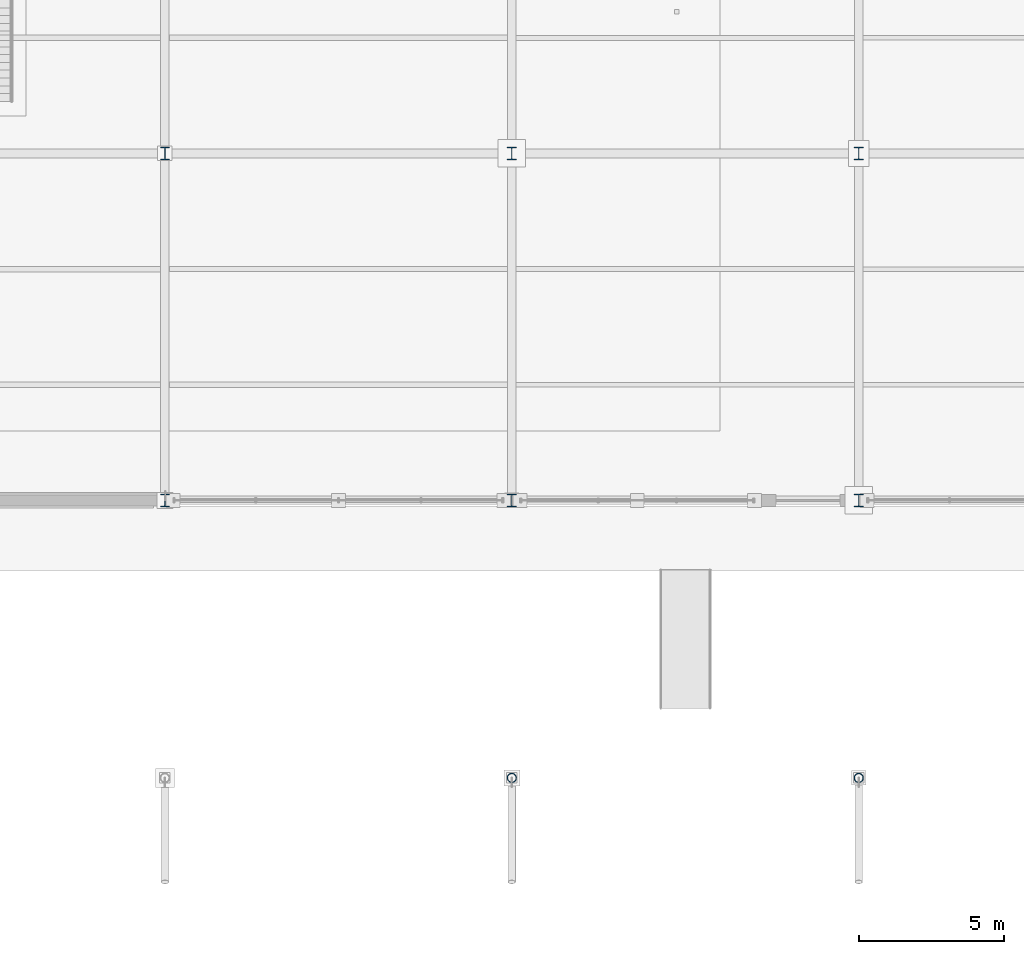
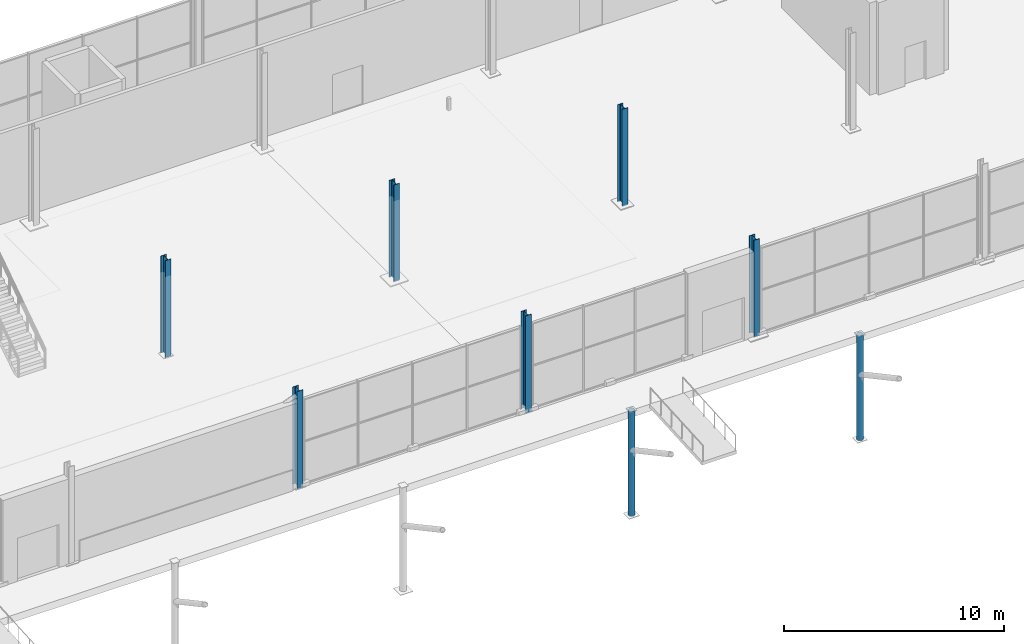
# One storey, part 6 of 196: 8 columns.
"""IFC4 building model written with IfcOpenShell, lengths in metres."""

import ifcopenshell
import ifcopenshell.guid

model = None  # the IFC model being written
_history = None  # IfcOwnerHistory: only IFC2X3 demands one
_inside = {}  # id of a spatial element -> (the spatial element, [elements in it])
_under = {}  # id of a project, library or spatial element -> (it, [spatial elements below it])
_declared = {}  # id of a project -> (the project, [libraries it declares])
_typed = {}  # id of a type object -> (the type object, [elements of that type])
_made_of = {}  # id of a material, layer set ... -> (it, [elements and type objects made of it])


def new_model(schema):
    """Start an empty IFC model of exactly this schema.

    Asked for "IFC4X3", IfcOpenShell would pick the latest addendum, in which some entities
    have other attributes; the version numbers below select the first issue.
    IFC2X3 requires an IfcOwnerHistory on every rooted entity: one is made here for all.
    """
    global model, _history
    if schema == "IFC4X3":
        model = ifcopenshell.file(schema_version=(4, 3, 0, 0))
    else:
        model = ifcopenshell.file(schema=schema)
    _inside.clear()
    _under.clear()
    _declared.clear()
    _typed.clear()
    _made_of.clear()
    _history = None
    if model.schema == "IFC2X3":
        org = make("IfcOrganization", Name="unknown")
        user = make(
            "IfcPersonAndOrganization",
            ThePerson=make("IfcPerson", FamilyName="unknown"),
            TheOrganization=org,
        )
        app = make(
            "IfcApplication",
            ApplicationDeveloper=org,
            Version="unknown",
            ApplicationFullName="unknown",
            ApplicationIdentifier="unknown",
        )
        _history = make(
            "IfcOwnerHistory",
            OwningUser=user,
            OwningApplication=app,
            ChangeAction="ADDED",
            CreationDate=0,
        )
    return model


def make(cls, **values):
    """One entity of the class cls with the attributes given. An attribute that is None is left unset."""
    return model.create_entity(
        cls, **{name: value for name, value in values.items() if value is not None}
    )


def rooted(cls, **values):
    """An entity with a GlobalId (a new one), such as an element, a storey or a relation."""
    return make(cls, GlobalId=ifcopenshell.guid.new(), OwnerHistory=_history, **values)


def si_unit(unit_type, name, prefix=None):
    """IfcSIUnit, for example si_unit("LENGTHUNIT", "METRE", prefix="MILLI")."""
    return make("IfcSIUnit", UnitType=unit_type, Prefix=prefix, Name=name)


def assignment(units):
    """IfcUnitAssignment: the units of a project."""
    return None if units is None else make("IfcUnitAssignment", Units=units)


def point(xyz):
    """IfcCartesianPoint."""
    return None if xyz is None else make("IfcCartesianPoint", Coordinates=xyz)


def direction(xyz):
    """IfcDirection."""
    return None if xyz is None else make("IfcDirection", DirectionRatios=xyz)


def frame(location, z_axis=None, x_axis=None):
    """IfcAxis2Placement3D, a coordinate frame: its origin and axes. An axis left out is left unset."""
    return make(
        "IfcAxis2Placement3D",
        Location=point(location),
        Axis=direction(z_axis),
        RefDirection=direction(x_axis),
    )


def frame_2d(location, x_axis=None):
    """IfcAxis2Placement2D, a coordinate frame in the plane: its origin and x axis."""
    return make(
        "IfcAxis2Placement2D", Location=point(location), RefDirection=direction(x_axis)
    )


def origin():
    """The frame at (0, 0, 0) with its axes left unset."""
    return frame((0.0, 0.0, 0.0))


def origin_2d():
    """The frame at (0, 0) in the plane with its x axis left unset."""
    return frame_2d((0.0, 0.0))


def place(relative_to, where):
    """IfcLocalPlacement: puts the frame where relative to a parent placement (None: the world)."""
    return make(
        "IfcLocalPlacement", PlacementRelTo=relative_to, RelativePlacement=where
    )


def context(
    kind, dimensions, precision=None, world=None, true_north=None, identifier=None
):
    """IfcGeometricRepresentationContext, for example the 3D "Model" context."""
    return make(
        "IfcGeometricRepresentationContext",
        ContextIdentifier=identifier,
        ContextType=kind,
        CoordinateSpaceDimension=dimensions,
        Precision=precision,
        WorldCoordinateSystem=world,
        TrueNorth=true_north,
    )


def subcontext(parent, identifier, kind, view, scale=None):
    """IfcGeometricRepresentationSubContext, for example "Body" below "Model"."""
    return make(
        "IfcGeometricRepresentationSubContext",
        ContextIdentifier=identifier,
        ContextType=kind,
        ParentContext=parent,
        TargetScale=scale,
        TargetView=view,
    )


def project(units=None, contexts=None):
    """IfcProject with its units and contexts."""
    return rooted(
        "IfcProject",
        Name="project",
        RepresentationContexts=contexts,
        UnitsInContext=assignment(units),
    )


def spatial(cls, under=None, at=None, **own):
    """A site, building, storey or space (cls), placed at a placement, below another one or the project."""
    s = rooted(cls, ObjectPlacement=at, **own)
    if under is not None:
        _under.setdefault(under.id(), (under, []))[1].append(s)
    return s


def profile(cls, at=None, kind="AREA", **sizes):
    """A parametric profile (cls). Its sizes go by their IFC names, for example OverallWidth=200.0."""
    return make(cls, ProfileType=kind, Position=at, **sizes)


def hollow_circle(**sizes):
    """IfcCircleHollowProfileDef."""
    return profile("IfcCircleHollowProfileDef", **sizes)


def i_section(**sizes):
    """IfcIShapeProfileDef."""
    return profile("IfcIShapeProfileDef", **sizes)


def extrude(swept, where, along, depth):
    """IfcExtrudedAreaSolid: the profile swept, set in the frame where, extruded along a direction by depth."""
    return make(
        "IfcExtrudedAreaSolid",
        SweptArea=swept,
        Position=where,
        ExtrudedDirection=direction(along),
        Depth=depth,
    )


def shape(context_of_items, identifier, shape_type, items):
    """IfcShapeRepresentation: the items that make up one representation, for example the "Body"."""
    return make(
        "IfcShapeRepresentation",
        ContextOfItems=context_of_items,
        RepresentationIdentifier=identifier,
        RepresentationType=shape_type,
        Items=items,
    )


def material(Name=None, Category=None):
    """IfcMaterial."""
    return make("IfcMaterial", Name=Name, Category=Category)


def material_profile(
    of_material, cross_section, Name=None, Category=None, Priority=None
):
    """IfcMaterialProfile: a cross section and its material."""
    return make(
        "IfcMaterialProfile",
        Name=Name,
        Material=of_material,
        Profile=cross_section,
        Priority=Priority,
        Category=Category,
    )


def profile_set(profiles, Name=None, composite=None):
    """IfcMaterialProfileSet."""
    return make(
        "IfcMaterialProfileSet",
        Name=Name,
        MaterialProfiles=profiles,
        CompositeProfile=composite,
    )


def made_of(thing, what):
    """Note that an element or type object is made of a material, layer set ...; save() writes the relation."""
    if what is not None:
        _made_of.setdefault(what.id(), (what, []))[1].append(thing)
    return thing


def type_object(cls, material=None, **own):
    """A type object (cls), such as IfcWallType, which elements share."""
    return made_of(rooted(cls, **own), material)


def element(
    cls,
    number,
    at=None,
    inside=None,
    cuts=None,
    type_object=None,
    material=None,
    context=None,
    identifier="Body",
    shape_type=None,
    held_by="IfcProductDefinitionShape",
    body=None,
    shapes=None,
    **own,
):
    """One element of the class cls, such as IfcWall. Its Tag is "e" and its number.

    at: its placement. inside: the storey or other place that contains it. cuts: it is an
    opening in that element (IfcRelVoidsElement). A single representation is given by context,
    identifier, shape_type and body (its items); several are given by shapes. held_by: the class
    of the entity that holds the representations. save() writes the other relations.
    """
    e = rooted(cls, Tag="e%d" % number, ObjectPlacement=at, **own)
    if body is not None:
        shapes = [shape(context, identifier, shape_type, body)]
    if shapes is not None:
        e.Representation = make(held_by, Representations=shapes)
    if inside is not None:
        _inside.setdefault(inside.id(), (inside, []))[1].append(e)
    if cuts is not None:
        rooted(
            "IfcRelVoidsElement", RelatingBuildingElement=cuts, RelatedOpeningElement=e
        )
    if type_object is not None:
        _typed.setdefault(type_object.id(), (type_object, []))[1].append(e)
    return made_of(e, material)


def aggregate(whole, parts):
    """IfcRelAggregates: a whole, such as a stair, and the parts it consists of."""
    return rooted("IfcRelAggregates", RelatingObject=whole, RelatedObjects=parts)


def save(model, path):
    """Write the relations noted so far, then the file.

    IfcRelAggregates (storeys below a building ...), IfcRelContainedInSpatialStructure (elements
    in a storey), IfcRelDefinesByType, IfcRelAssociatesMaterial and IfcRelDeclares: one each for
    every whole, place, type object, material and project.
    """
    for whole, parts in _under.values():
        aggregate(whole, parts)
    for where, things in _inside.values():
        rooted(
            "IfcRelContainedInSpatialStructure",
            RelatedElements=things,
            RelatingStructure=where,
        )
    for kind, things in _typed.values():
        rooted("IfcRelDefinesByType", RelatedObjects=things, RelatingType=kind)
    for what, things in _made_of.values():
        rooted("IfcRelAssociatesMaterial", RelatedObjects=things, RelatingMaterial=what)
    for by, libraries in _declared.values():
        rooted("IfcRelDeclares", RelatingContext=by, RelatedDefinitions=libraries)
    model.write(path)


model = new_model("IFC4")

# Units and contexts
model_context = context("Model", 3, precision=1e-05, world=origin(), true_north=direction((0.0, 1.0)))
body_context = subcontext(model_context, "Body", "Model", "MODEL_VIEW")
ifc_project = project(units=[si_unit("LENGTHUNIT", "METRE"), si_unit("AREAUNIT", "SQUARE_METRE"), si_unit("VOLUMEUNIT", "CUBIC_METRE"), si_unit("PLANEANGLEUNIT", "RADIAN"), si_unit("MASSUNIT", "GRAM", prefix="KILO")], contexts=[model_context])

# Site, building, storey
site_placement = place(None, origin())
site = spatial("IfcSite", under=ifc_project, at=site_placement, CompositionType="ELEMENT")
building_placement = place(site_placement, origin())
building = spatial("IfcBuilding", under=site, at=building_placement, Name="Merenkruunu Market Hall", CompositionType="ELEMENT")
storey_placement = place(building_placement, origin())
storey = spatial("IfcBuildingStorey", under=building, at=storey_placement, Name="L00", CompositionType="ELEMENT", Elevation=0.0)

# Columns
ifc_material_1 = material(Name="Steel S355J2", Category="steel")
ifc_material_profile_1 = material_profile(ifc_material_1, i_section(OverallWidth=0.300048828125, OverallDepth=0.43994140625, WebThickness=0.011474609375, FlangeThickness=0.02099609375, FilletRadius=0.027099609375, at=origin_2d()), Name="HEA 450")
ifc_profile_set_1 = profile_set([ifc_material_profile_1], Name="Steel S355J2")
column_type_1 = type_object("IfcColumnType", Name="Structural Column C07", PredefinedType="COLUMN", material=ifc_profile_set_1)
for number, where, z_axis, x_axis, name in (
    (1, (100.800048828125, 15.60009765625, 0.0), (0.0, 0.0, 1.0), (1.0, 0.0, 0.0), "COL-L00-L-03"),
    (2, (100.800048828125, 27.60009765625, 0.0), (0.0, 0.0, 1.0), (1.0, 0.0, 0.0), "COL-L00-L-04"),
    (3, (112.800048828125, 15.60009765625, 0.0), (0.0, 0.0, 1.0), (1.0, 0.0, 0.0), "COL-L00-M-03"),
    (4, (112.800048828125, 27.60009765625, 0.0), (0.0, 0.0, 1.0), (1.0, 0.0, 0.0), "COL-L00-M-04"),
    (5, (124.800048828125, 15.60009765625, 0.0), (0.0, 0.0, 1.0), (1.0, 0.0, 0.0), "COL-L00-N-03"),
    (6, (124.800048828125, 27.60009765625, 0.0), (0.0, 0.0, 1.0), (1.0, 0.0, 0.0), "COL-L00-N-04"),
):
    element("IfcColumn", number, at=place(storey_placement, frame(where, z_axis=z_axis, x_axis=x_axis)), inside=storey, type_object=column_type_1, Name=name, PredefinedType="COLUMN", context=body_context, shape_type="SweptSolid", body=[
        extrude(i_section(OverallWidth=0.300048828125, OverallDepth=0.43994140625, WebThickness=0.011474609375, FlangeThickness=0.02099609375, FilletRadius=0.027099609375, at=origin_2d()), origin(), (0.0, 0.0, 1.0), 5.39990234375),
    ])
ifc_material_2 = material(Name="Steel S355ML", Category="steel")
ifc_material_profile_2 = material_profile(ifc_material_2, hollow_circle(Radius=0.161865234375, WallThickness=0.01611328125, at=origin_2d()), Name="CHS 323.9x16")
ifc_profile_set_2 = profile_set([ifc_material_profile_2], Name="Steel S355ML")
column_type_2 = type_object("IfcColumnType", Name="Structural Column C13", PredefinedType="COLUMN", material=ifc_profile_set_2)
for number, where, z_axis, x_axis, name in (
    (7, (112.800048828125, 6.0, 0.0), (0.0, 0.0, 1.0), (1.0, 0.0, 0.0), "COL-L00-M-02"),
    (8, (124.800048828125, 6.0, 0.0), (0.0, 0.0, 1.0), (1.0, 0.0, 0.0), "COL-L00-N-02"),
):
    element("IfcColumn", number, at=place(storey_placement, frame(where, z_axis=z_axis, x_axis=x_axis)), inside=storey, type_object=column_type_2, Name=name, PredefinedType="COLUMN", context=body_context, shape_type="SweptSolid", body=[
        extrude(hollow_circle(Radius=0.161865234375, WallThickness=0.01611328125, at=origin_2d()), origin(), (0.0, 0.0, 1.0), 5.840087890625),
    ])

save(model, "model.ifc")
